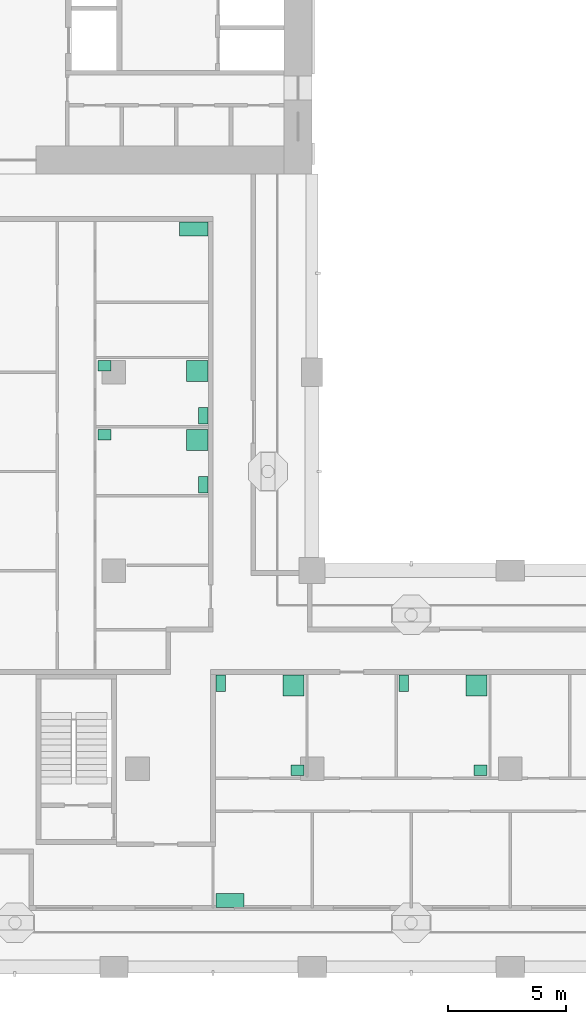
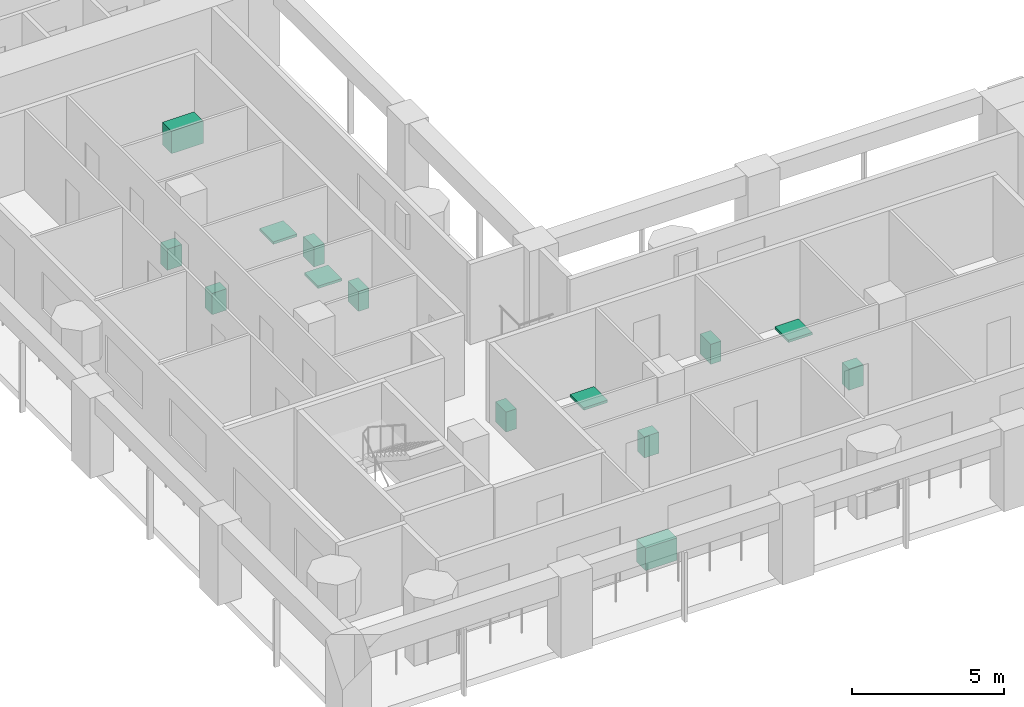
# One storey, part 11 of 13: 14 sanitary terminals.
"""IFC4 building model written with IfcOpenShell, lengths in metres."""

from ifc_helpers import new_model, si_unit, direction, frame, origin, origin_2d, place, context, subcontext, project, spatial, rectangle, extrude, material, element, save


model = new_model("IFC4")

# Units and contexts
model_context = context("Model", 3, precision=1e-05, world=origin(), true_north=direction((0.0, 1.0)))
body_context = subcontext(model_context, "Body", "Model", "MODEL_VIEW")
ifc_project = project(units=[si_unit("LENGTHUNIT", "METRE"), si_unit("AREAUNIT", "SQUARE_METRE"), si_unit("VOLUMEUNIT", "CUBIC_METRE"), si_unit("PLANEANGLEUNIT", "RADIAN"), si_unit("MASSUNIT", "GRAM", prefix="KILO")], contexts=[model_context])

# Site, building, storey
site_placement = place(None, origin())
site = spatial("IfcSite", under=ifc_project, at=site_placement, CompositionType="ELEMENT")
building_placement = place(site_placement, origin())
building = spatial("IfcBuilding", under=site, at=building_placement, Name="Vermilion Gate Residences", CompositionType="ELEMENT")
storey_placement = place(building_placement, frame((0.0, 0.0, 161.699951171875)))
storey = spatial("IfcBuildingStorey", under=building, at=storey_placement, Name="L41", CompositionType="ELEMENT", Elevation=161.699951171875)

# Sanitary terminals
ifc_material_1 = material(Name="Stainless steel", Category="steel")
sanitary_terminal_1_placement = place(storey_placement, frame((21.719970703125, 11.219970703125, 0.0), z_axis=(0.0, 0.0, 1.0), x_axis=(1.0, 0.0, 0.0)))
element("IfcSanitaryTerminal", 1, at=sanitary_terminal_1_placement, inside=storey, material=ifc_material_1, Name="Kitchen sink", PredefinedType="SINK", context=body_context, shape_type="SweptSolid", body=[
    extrude(rectangle(XDim=1.199951171875, YDim=0.60009765625, at=origin_2d()), origin(), (0.0, 0.0, 1.0), 0.89990234375),
])
ifc_material_2 = material(Name="Vitreous china")
sanitary_terminal_2_placement = place(storey_placement, frame((24.409912109375, 20.330078125, 0.0), z_axis=(0.0, 0.0, 1.0), x_axis=(1.0, 0.0, 0.0)))
element("IfcSanitaryTerminal", 2, at=sanitary_terminal_2_placement, inside=storey, material=ifc_material_2, Name="Shower tray", PredefinedType="SHOWER", context=body_context, shape_type="SweptSolid", body=[
    extrude(rectangle(XDim=0.89990234375, YDim=0.89990234375, at=origin_2d()), origin(), (0.0, 0.0, 1.0), 0.10009765625),
])
sanitary_terminal_3_placement = place(storey_placement, frame((21.320068359375, 20.429931640625, 0.0), z_axis=(0.0, 0.0, 1.0), x_axis=(1.0, 0.0, 0.0)))
element("IfcSanitaryTerminal", 3, at=sanitary_terminal_3_placement, inside=storey, material=ifc_material_2, Name="Toilet", PredefinedType="TOILETPAN", context=body_context, shape_type="SweptSolid", body=[
    extrude(rectangle(XDim=0.39990234375, YDim=0.699951171875, at=origin_2d()), origin(), (0.0, 0.0, 1.0), 0.800048828125),
])
sanitary_terminal_4_placement = place(storey_placement, frame((24.5849609375, 16.7451171875, 0.0), z_axis=(0.0, 0.0, 1.0), x_axis=(1.0, 0.0, 0.0)))
element("IfcSanitaryTerminal", 4, at=sanitary_terminal_4_placement, inside=storey, material=ifc_material_2, Name="Wash basin", PredefinedType="WASHHANDBASIN", context=body_context, shape_type="SweptSolid", body=[
    extrude(rectangle(XDim=0.550048828125, YDim=0.449951171875, at=origin_2d()), origin(), (0.0, 0.0, 1.0), 0.85009765625),
])
sanitary_terminal_5_placement = place(storey_placement, frame((32.169921875, 20.330078125, 0.0), z_axis=(0.0, 0.0, 1.0), x_axis=(1.0, 0.0, 0.0)))
element("IfcSanitaryTerminal", 5, at=sanitary_terminal_5_placement, inside=storey, material=ifc_material_2, Name="Shower tray", PredefinedType="SHOWER", context=body_context, shape_type="SweptSolid", body=[
    extrude(rectangle(XDim=0.89990234375, YDim=0.89990234375, at=origin_2d()), origin(), (0.0, 0.0, 1.0), 0.10009765625),
])
sanitary_terminal_6_placement = place(storey_placement, frame((29.080078125, 20.429931640625, 0.0), z_axis=(0.0, 0.0, 1.0), x_axis=(1.0, 0.0, 0.0)))
element("IfcSanitaryTerminal", 6, at=sanitary_terminal_6_placement, inside=storey, material=ifc_material_2, Name="Toilet", PredefinedType="TOILETPAN", context=body_context, shape_type="SweptSolid", body=[
    extrude(rectangle(XDim=0.39990234375, YDim=0.699951171875, at=origin_2d()), origin(), (0.0, 0.0, 1.0), 0.800048828125),
])
sanitary_terminal_7_placement = place(storey_placement, frame((32.344970703125, 16.7451171875, 0.0), z_axis=(0.0, 0.0, 1.0), x_axis=(1.0, 0.0, 0.0)))
element("IfcSanitaryTerminal", 7, at=sanitary_terminal_7_placement, inside=storey, material=ifc_material_2, Name="Wash basin", PredefinedType="WASHHANDBASIN", context=body_context, shape_type="SweptSolid", body=[
    extrude(rectangle(XDim=0.550048828125, YDim=0.449951171875, at=origin_2d()), origin(), (0.0, 0.0, 1.0), 0.85009765625),
])
sanitary_terminal_8_placement = place(storey_placement, frame((20.330078125, 30.72998046875, 0.0), z_axis=(0.0, 0.0, 1.0), x_axis=(1.0, 0.0, 0.0)))
element("IfcSanitaryTerminal", 8, at=sanitary_terminal_8_placement, inside=storey, material=ifc_material_2, Name="Shower tray", PredefinedType="SHOWER", context=body_context, shape_type="SweptSolid", body=[
    extrude(rectangle(XDim=0.89990234375, YDim=0.89990234375, at=origin_2d()), origin(), (0.0, 0.0, 1.0), 0.10009765625),
])
sanitary_terminal_9_placement = place(storey_placement, frame((20.580078125, 28.8369140625, 0.0), z_axis=(0.0, 0.0, 1.0), x_axis=(1.0, 0.0, 0.0)))
element("IfcSanitaryTerminal", 9, at=sanitary_terminal_9_placement, inside=storey, material=ifc_material_2, Name="Toilet", PredefinedType="TOILETPAN", context=body_context, shape_type="SweptSolid", body=[
    extrude(rectangle(XDim=0.39990234375, YDim=0.699951171875, at=origin_2d()), origin(), (0.0, 0.0, 1.0), 0.800048828125),
])
sanitary_terminal_10_placement = place(storey_placement, frame((16.39501953125, 30.955078125, 0.0), z_axis=(0.0, 0.0, 1.0), x_axis=(1.0, 0.0, 0.0)))
element("IfcSanitaryTerminal", 10, at=sanitary_terminal_10_placement, inside=storey, material=ifc_material_2, Name="Wash basin", PredefinedType="WASHHANDBASIN", context=body_context, shape_type="SweptSolid", body=[
    extrude(rectangle(XDim=0.550048828125, YDim=0.449951171875, at=origin_2d()), origin(), (0.0, 0.0, 1.0), 0.85009765625),
])
sanitary_terminal_11_placement = place(storey_placement, frame((20.330078125, 33.6630859375, 0.0), z_axis=(0.0, 0.0, 1.0), x_axis=(1.0, 0.0, 0.0)))
element("IfcSanitaryTerminal", 11, at=sanitary_terminal_11_placement, inside=storey, material=ifc_material_2, Name="Shower tray", PredefinedType="SHOWER", context=body_context, shape_type="SweptSolid", body=[
    extrude(rectangle(XDim=0.89990234375, YDim=0.89990234375, at=origin_2d()), origin(), (0.0, 0.0, 1.0), 0.10009765625),
])
sanitary_terminal_12_placement = place(storey_placement, frame((20.580078125, 31.77001953125, 0.0), z_axis=(0.0, 0.0, 1.0), x_axis=(1.0, 0.0, 0.0)))
element("IfcSanitaryTerminal", 12, at=sanitary_terminal_12_placement, inside=storey, material=ifc_material_2, Name="Toilet", PredefinedType="TOILETPAN", context=body_context, shape_type="SweptSolid", body=[
    extrude(rectangle(XDim=0.39990234375, YDim=0.699951171875, at=origin_2d()), origin(), (0.0, 0.0, 1.0), 0.800048828125),
])
sanitary_terminal_13_placement = place(storey_placement, frame((16.39501953125, 33.887939453125, 0.0), z_axis=(0.0, 0.0, 1.0), x_axis=(1.0, 0.0, 0.0)))
element("IfcSanitaryTerminal", 13, at=sanitary_terminal_13_placement, inside=storey, material=ifc_material_2, Name="Wash basin", PredefinedType="WASHHANDBASIN", context=body_context, shape_type="SweptSolid", body=[
    extrude(rectangle(XDim=0.550048828125, YDim=0.449951171875, at=origin_2d()), origin(), (0.0, 0.0, 1.0), 0.85009765625),
])
sanitary_terminal_14_placement = place(storey_placement, frame((20.179931640625, 39.679931640625, 0.0), z_axis=(0.0, 0.0, 1.0), x_axis=(1.0, 0.0, 0.0)))
element("IfcSanitaryTerminal", 14, at=sanitary_terminal_14_placement, inside=storey, material=ifc_material_1, Name="Kitchen sink", PredefinedType="SINK", context=body_context, shape_type="SweptSolid", body=[
    extrude(rectangle(XDim=1.199951171875, YDim=0.60009765625, at=origin_2d()), origin(), (0.0, 0.0, 1.0), 0.89990234375),
])

save(model, "model.ifc")
